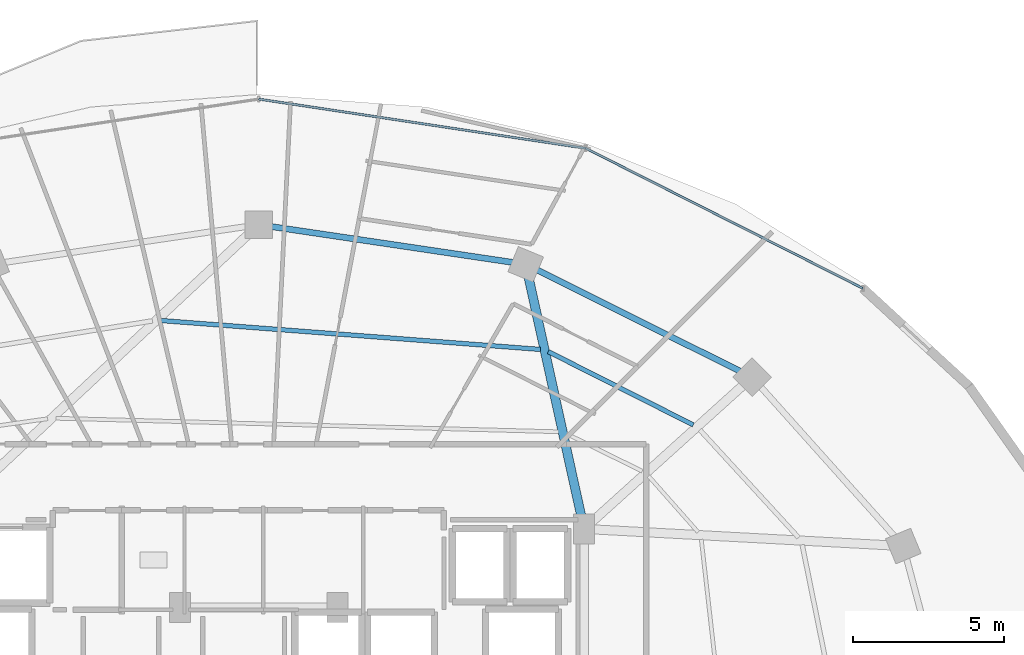
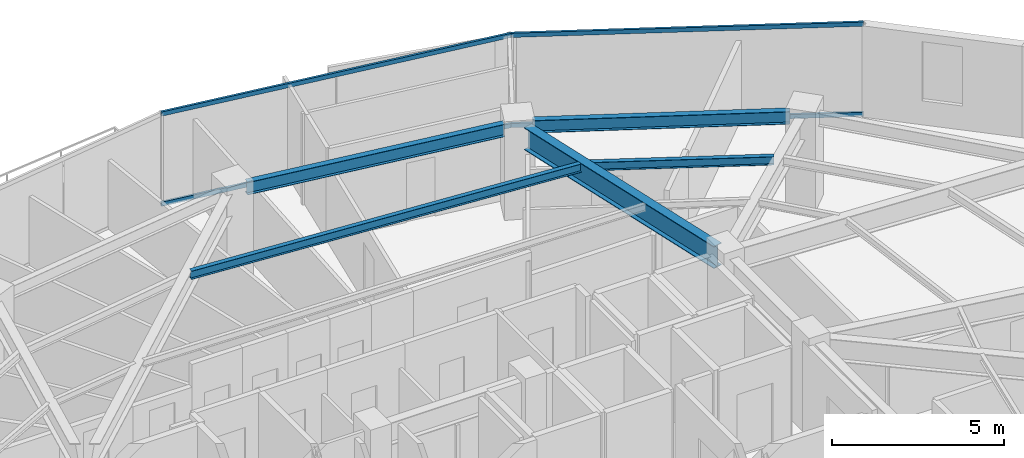
# One storey, part 21 of 33: 5 beams, 4 members, 1 element without a shape of its own.
"""IFC4 building model written with IfcOpenShell, lengths in metres."""

from ifc_helpers import new_model, si_unit, direction, frame, origin, origin_2d, place, context, subcontext, project, spatial, hollow_rectangle, i_section, extrude, material, material_profile, profile_set, type_object, element, aggregate, save


model = new_model("IFC4")

# Units and contexts
model_context = context("Model", 3, precision=1e-05, world=origin(), true_north=direction((0.0, 1.0)))
body_context = subcontext(model_context, "Body", "Model", "MODEL_VIEW")
ifc_project = project(units=[si_unit("LENGTHUNIT", "METRE"), si_unit("AREAUNIT", "SQUARE_METRE"), si_unit("VOLUMEUNIT", "CUBIC_METRE"), si_unit("PLANEANGLEUNIT", "RADIAN"), si_unit("MASSUNIT", "GRAM", prefix="KILO")], contexts=[model_context])

# Site, building, storey
site_placement = place(None, origin())
site = spatial("IfcSite", under=ifc_project, at=site_placement, CompositionType="ELEMENT")
building_placement = place(site_placement, origin())
building = spatial("IfcBuilding", under=site, at=building_placement, Name="Vorneva Point Tower", CompositionType="ELEMENT")
storey_placement = place(building_placement, frame((0.0, 0.0, 189.60009765625)))
storey = spatial("IfcBuildingStorey", under=building, at=storey_placement, Name="L51", CompositionType="ELEMENT", Elevation=189.60009765625)

# Beams
ifc_material_1 = material(Name="Steel S355", Category="steel")
ifc_material_profile_1 = material_profile(ifc_material_1, i_section(OverallWidth=0.300048828125, OverallDepth=0.7880859375, WebThickness=0.014404296875, FlangeThickness=0.02197265625, at=origin_2d()), Name="80Sh1")
ifc_profile_set_1 = profile_set([ifc_material_profile_1], Name="Steel S355")
beam_type_1 = type_object("IfcBeamType", Name="BM-GRD-80Sh1", PredefinedType="USERDEFINED", material=ifc_profile_set_1)
beam_1_placement = place(storey_placement, frame((46.915283203125, 41.462890625, 2.845947265625), z_axis=(0.215522758292, -0.976498817541, 0.0), x_axis=(0.976498817541, 0.215522758292, 0.0)))
element("IfcBeam", 1, at=beam_1_placement, inside=storey, type_object=beam_type_1, Name="L51 Radial Primary Girder 04", ObjectType="GIRDER", PredefinedType="USERDEFINED", context=body_context, shape_type="SweptSolid", body=[
    extrude(i_section(OverallWidth=0.300048828125, OverallDepth=0.7880859375, WebThickness=0.014404296875, FlangeThickness=0.02197265625, at=origin_2d()), origin(), (0.0, 0.0, 1.0), 8.173095703125),
])
ifc_material_profile_2 = material_profile(ifc_material_1, i_section(OverallWidth=0.14892578125, OverallDepth=0.298095703125, WebThickness=0.005615234375, FlangeThickness=0.008056640625, at=origin_2d()), Name="30B1")
ifc_profile_set_2 = profile_set([ifc_material_profile_2], Name="Steel S355")
beam_type_2 = type_object("IfcBeamType", Name="BM-JST-30B1", PredefinedType="JOIST", material=ifc_profile_set_2)
beam_2_placement = place(storey_placement, frame((52.359130859375, 36.583740234375, 3.0908203125), z_axis=(-0.892445275424, 0.451155660912, 0.0), x_axis=(-0.451155660912, -0.892445275424, 0.0)))
element("IfcBeam", 2, at=beam_2_placement, inside=storey, type_object=beam_type_2, Name="L51 Secondary Floor Beam 1.03", PredefinedType="JOIST", context=body_context, shape_type="SweptSolid", body=[
    extrude(i_section(OverallWidth=0.14892578125, OverallDepth=0.298095703125, WebThickness=0.005615234375, FlangeThickness=0.008056640625, at=origin_2d()), origin(), (0.0, 0.0, 1.0), 5.369873046875),
])
beam_3_placement = place(storey_placement, frame((47.30615234375, 39.0791015625, 3.0908203125), z_axis=(-0.99710914337, 0.075982604646, 0.0), x_axis=(-0.075982604646, -0.99710914337, 0.0)))
element("IfcBeam", 3, at=beam_3_placement, inside=storey, type_object=beam_type_2, Name="L51 Secondary Floor Beam 1.04", PredefinedType="JOIST", context=body_context, shape_type="SweptSolid", body=[
    extrude(i_section(OverallWidth=0.14892578125, OverallDepth=0.298095703125, WebThickness=0.005615234375, FlangeThickness=0.008056640625, at=origin_2d()), origin(), (0.0, 0.0, 1.0), 12.579345703125),
])
ifc_material_profile_3 = material_profile(ifc_material_1, i_section(OverallWidth=0.198974609375, OverallDepth=0.446044921875, WebThickness=0.008056640625, FlangeThickness=0.011962890625, at=origin_2d()), Name="45B1")
ifc_profile_set_3 = profile_set([ifc_material_profile_3], Name="Steel S355")
beam_type_3 = type_object("IfcBeamType", Name="BM-SPN-45B1", PredefinedType="SPANDREL", material=ifc_profile_set_3)
beam_4_placement = place(storey_placement, frame((53.909423828125, 38.356201171875, 3.016845703125), z_axis=(-0.894922371084, 0.446221861559, 0.0), x_axis=(-0.446221861559, -0.894922371084, 0.0)))
element("IfcBeam", 4, at=beam_4_placement, inside=storey, type_object=beam_type_3, Name="L51 Perimeter Spandrel Ring Beam 03", PredefinedType="SPANDREL", context=body_context, shape_type="SweptSolid", body=[
    extrude(i_section(OverallWidth=0.198974609375, OverallDepth=0.446044921875, WebThickness=0.008056640625, FlangeThickness=0.011962890625, at=origin_2d()), origin(), (0.0, 0.0, 1.0), 7.48583984375),
])
beam_5_placement = place(storey_placement, frame((46.390625, 41.95458984375, 3.016845703125), z_axis=(-0.989165476332, 0.146804837907, 0.0), x_axis=(-0.146804837907, -0.989165476332, 0.0)))
element("IfcBeam", 5, at=beam_5_placement, inside=storey, type_object=beam_type_3, Name="L51 Perimeter Spandrel Ring Beam 04", PredefinedType="SPANDREL", context=body_context, shape_type="SweptSolid", body=[
    extrude(i_section(OverallWidth=0.198974609375, OverallDepth=0.446044921875, WebThickness=0.008056640625, FlangeThickness=0.011962890625, at=origin_2d()), origin(), (0.0, 0.0, 1.0), 8.04736328125),
])

# Curtain wall, members
ifc_material_2 = material(Name="Pale anodised aluminium", Category="aluminium")
curtain_wall_type = type_object("IfcCurtainWallType", Name="CW-RES-SYS", PredefinedType="NOTDEFINED", material=ifc_material_2)
curtain_wall_placement = place(storey_placement, origin())
curtain_wall = element("IfcCurtainWall", 6, at=curtain_wall_placement, inside=storey, type_object=curtain_wall_type, Name="L51 Unitised Curtain Wall CW-L51-R02", PredefinedType="NOTDEFINED")
ifc_material_profile_4 = material_profile(ifc_material_2, hollow_rectangle(XDim=0.074951171875, YDim=0.14990234375, WallThickness=0.00390625, at=origin_2d()), Name="AL-TRN 150x75x4")
ifc_profile_set_4 = profile_set([ifc_material_profile_4], Name="Pale anodised aluminium")
member_type = type_object("IfcMemberType", Name="CW-TRN-150", PredefinedType="USERDEFINED", material=ifc_profile_set_4)
member_1_placement = place(storey_placement, frame((57.961669921875, 41.0966796875, 0.02001953125), z_axis=(-0.892510927709, 0.451025768576, 0.0), x_axis=(-0.451025768576, -0.892510927709, 0.0)))
member_1 = element("IfcMember", 7, at=member_1_placement, type_object=member_type, Name="CW-L51-R02 Transom 01.1", ObjectType="TRANSOM", PredefinedType="USERDEFINED", context=body_context, shape_type="SweptSolid", body=[
    extrude(hollow_rectangle(XDim=0.074951171875, YDim=0.14990234375, WallThickness=0.00390625, at=origin_2d()), origin(), (0.0, 0.0, 1.0), 10.261474609375),
])
member_2_placement = place(storey_placement, frame((57.961669921875, 41.0966796875, 3.219970703125), z_axis=(-0.892510927709, 0.451025768576, 0.0), x_axis=(-0.451025768576, -0.892510927709, 0.0)))
member_2 = element("IfcMember", 8, at=member_2_placement, type_object=member_type, Name="CW-L51-R02 Transom 01.2", ObjectType="TRANSOM", PredefinedType="USERDEFINED", context=body_context, shape_type="SweptSolid", body=[
    extrude(hollow_rectangle(XDim=0.074951171875, YDim=0.14990234375, WallThickness=0.00390625, at=origin_2d()), origin(), (0.0, 0.0, 1.0), 10.261474609375),
])
member_3_placement = place(storey_placement, frame((48.80322265625, 45.724853515625, 0.02001953125), z_axis=(-0.988872333273, 0.148766624239, 0.0), x_axis=(-0.148766624239, -0.988872333273, 0.0)))
member_3 = element("IfcMember", 9, at=member_3_placement, type_object=member_type, Name="CW-L51-R02 Transom 02.1", ObjectType="TRANSOM", PredefinedType="USERDEFINED", context=body_context, shape_type="SweptSolid", body=[
    extrude(hollow_rectangle(XDim=0.074951171875, YDim=0.14990234375, WallThickness=0.00390625, at=origin_2d()), origin(), (0.0, 0.0, 1.0), 10.9248046875),
])
member_4_placement = place(storey_placement, frame((48.80322265625, 45.724853515625, 3.219970703125), z_axis=(-0.988872333273, 0.148766624239, 0.0), x_axis=(-0.148766624239, -0.988872333273, 0.0)))
member_4 = element("IfcMember", 10, at=member_4_placement, type_object=member_type, Name="CW-L51-R02 Transom 02.2", ObjectType="TRANSOM", PredefinedType="USERDEFINED", context=body_context, shape_type="SweptSolid", body=[
    extrude(hollow_rectangle(XDim=0.074951171875, YDim=0.14990234375, WallThickness=0.00390625, at=origin_2d()), origin(), (0.0, 0.0, 1.0), 10.9248046875),
])
aggregate(curtain_wall, [member_1, member_2, member_3, member_4])

save(model, "model.ifc")
